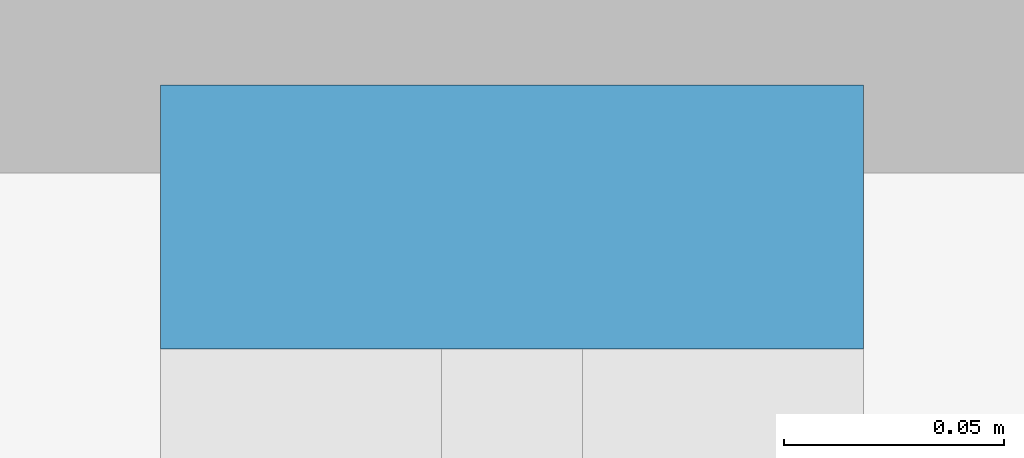
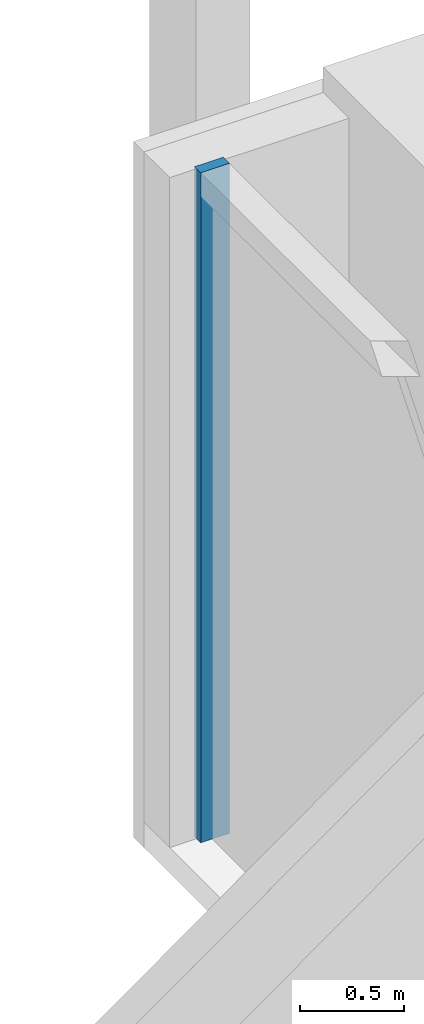
# One storey, part 18 of 33: 1 member, 1 element without a shape of its own.
"""IFC4 building model written with IfcOpenShell, lengths in metres."""

from ifc_helpers import new_model, si_unit, direction, frame, origin, origin_2d, place, context, subcontext, project, spatial, rectangle, extrude, material, material_profile, profile_set, type_object, element, aggregate, save


model = new_model("IFC4")

# Units and contexts
model_context = context("Model", 3, precision=1e-05, world=origin(), true_north=direction((0.0, 1.0)))
body_context = subcontext(model_context, "Body", "Model", "MODEL_VIEW")
ifc_project = project(units=[si_unit("LENGTHUNIT", "METRE"), si_unit("AREAUNIT", "SQUARE_METRE"), si_unit("VOLUMEUNIT", "CUBIC_METRE"), si_unit("PLANEANGLEUNIT", "RADIAN"), si_unit("MASSUNIT", "GRAM", prefix="KILO")], contexts=[model_context])

# Site, building, storey
site_placement = place(None, origin())
site = spatial("IfcSite", under=ifc_project, at=site_placement, CompositionType="ELEMENT")
building_placement = place(site_placement, origin())
building = spatial("IfcBuilding", under=site, at=building_placement, Name="Bicima Exchange Tower", CompositionType="ELEMENT")
storey_placement = place(building_placement, frame((0.0, 0.0, 140.39990234375)))
storey = spatial("IfcBuildingStorey", under=building, at=storey_placement, Name="L30", CompositionType="ELEMENT", Elevation=140.39990234375)

# Curtain wall, member
ifc_material = material(Name="Anodised bronze aluminium", Category="aluminium")
curtain_wall_type = type_object("IfcCurtainWallType", Name="Front glass wall", PredefinedType="NOTDEFINED", material=ifc_material)
curtain_wall_placement = place(storey_placement, origin())
curtain_wall = element("IfcCurtainWall", 1, at=curtain_wall_placement, inside=storey, type_object=curtain_wall_type, Name="Front glass wall L30 run 4", PredefinedType="NOTDEFINED")
ifc_material_profile = material_profile(ifc_material, rectangle(XDim=0.159912109375, YDim=0.06005859375, at=origin_2d()))
ifc_profile_set = profile_set([ifc_material_profile], Name="Anodised bronze aluminium")
member_type = type_object("IfcMemberType", Name="Front glass wall mullion 60 x 160", PredefinedType="MULLION", material=ifc_profile_set)
member_placement = place(storey_placement, frame((-22.77001953125, -0.260009765625, 0.0), z_axis=(0.0, 0.0, 1.0), x_axis=(1.0, 0.0, 0.0)))
member = element("IfcMember", 2, at=member_placement, type_object=member_type, Name="Front glass wall mullion 1", PredefinedType="MULLION", context=body_context, shape_type="SweptSolid", body=[
    extrude(rectangle(XDim=0.159912109375, YDim=0.06005859375, at=origin_2d()), origin(), (0.0, 0.0, 1.0), 3.9501953125),
])
aggregate(curtain_wall, [member])

save(model, "model.ifc")
